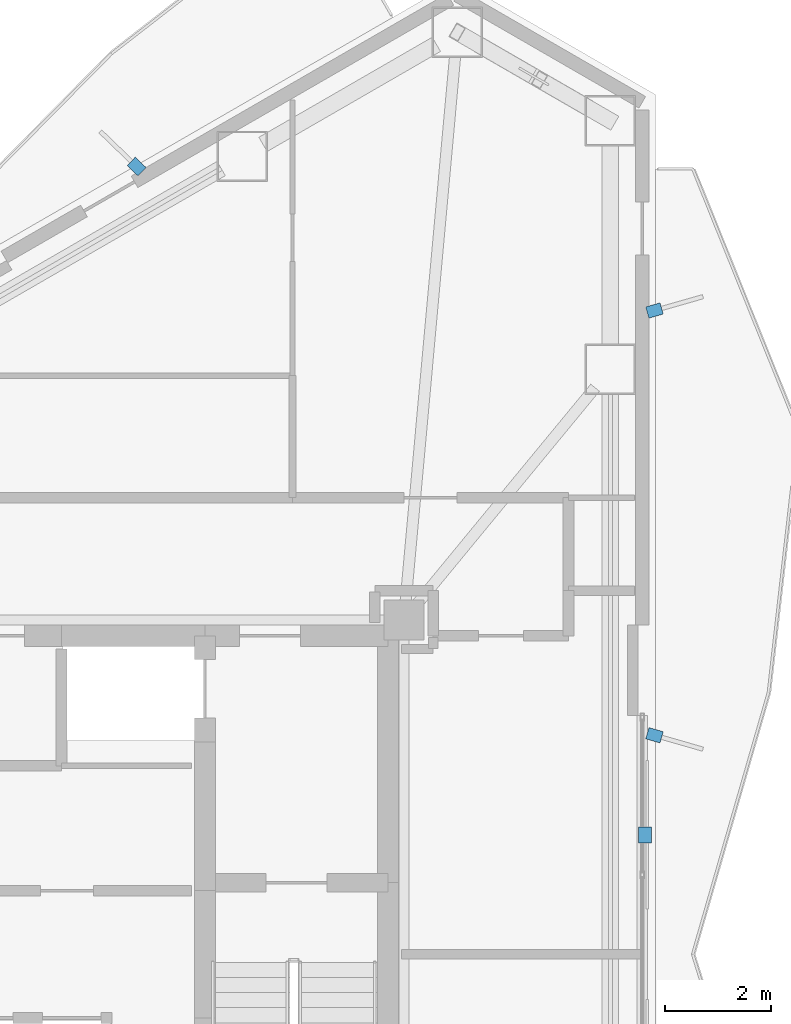
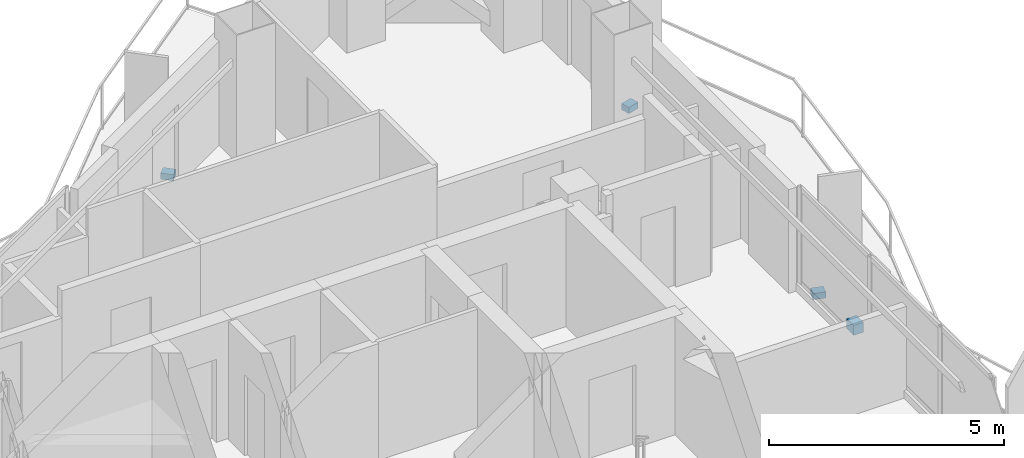
# One storey, part 20 of 22: 4 discrete accessories.
"""IFC4 building model written with IfcOpenShell, lengths in metres."""

import ifcopenshell
import ifcopenshell.guid

model = None  # the IFC model being written
_history = None  # IfcOwnerHistory: only IFC2X3 demands one
_inside = {}  # id of a spatial element -> (the spatial element, [elements in it])
_under = {}  # id of a project, library or spatial element -> (it, [spatial elements below it])
_declared = {}  # id of a project -> (the project, [libraries it declares])
_typed = {}  # id of a type object -> (the type object, [elements of that type])
_made_of = {}  # id of a material, layer set ... -> (it, [elements and type objects made of it])


def new_model(schema):
    """Start an empty IFC model of exactly this schema.

    Asked for "IFC4X3", IfcOpenShell would pick the latest addendum, in which some entities
    have other attributes; the version numbers below select the first issue.
    IFC2X3 requires an IfcOwnerHistory on every rooted entity: one is made here for all.
    """
    global model, _history
    if schema == "IFC4X3":
        model = ifcopenshell.file(schema_version=(4, 3, 0, 0))
    else:
        model = ifcopenshell.file(schema=schema)
    _inside.clear()
    _under.clear()
    _declared.clear()
    _typed.clear()
    _made_of.clear()
    _history = None
    if model.schema == "IFC2X3":
        org = make("IfcOrganization", Name="unknown")
        user = make(
            "IfcPersonAndOrganization",
            ThePerson=make("IfcPerson", FamilyName="unknown"),
            TheOrganization=org,
        )
        app = make(
            "IfcApplication",
            ApplicationDeveloper=org,
            Version="unknown",
            ApplicationFullName="unknown",
            ApplicationIdentifier="unknown",
        )
        _history = make(
            "IfcOwnerHistory",
            OwningUser=user,
            OwningApplication=app,
            ChangeAction="ADDED",
            CreationDate=0,
        )
    return model


def make(cls, **values):
    """One entity of the class cls with the attributes given. An attribute that is None is left unset."""
    return model.create_entity(
        cls, **{name: value for name, value in values.items() if value is not None}
    )


def rooted(cls, **values):
    """An entity with a GlobalId (a new one), such as an element, a storey or a relation."""
    return make(cls, GlobalId=ifcopenshell.guid.new(), OwnerHistory=_history, **values)


def si_unit(unit_type, name, prefix=None):
    """IfcSIUnit, for example si_unit("LENGTHUNIT", "METRE", prefix="MILLI")."""
    return make("IfcSIUnit", UnitType=unit_type, Prefix=prefix, Name=name)


def assignment(units):
    """IfcUnitAssignment: the units of a project."""
    return None if units is None else make("IfcUnitAssignment", Units=units)


def point(xyz):
    """IfcCartesianPoint."""
    return None if xyz is None else make("IfcCartesianPoint", Coordinates=xyz)


def direction(xyz):
    """IfcDirection."""
    return None if xyz is None else make("IfcDirection", DirectionRatios=xyz)


def frame(location, z_axis=None, x_axis=None):
    """IfcAxis2Placement3D, a coordinate frame: its origin and axes. An axis left out is left unset."""
    return make(
        "IfcAxis2Placement3D",
        Location=point(location),
        Axis=direction(z_axis),
        RefDirection=direction(x_axis),
    )


def frame_2d(location, x_axis=None):
    """IfcAxis2Placement2D, a coordinate frame in the plane: its origin and x axis."""
    return make(
        "IfcAxis2Placement2D", Location=point(location), RefDirection=direction(x_axis)
    )


def origin():
    """The frame at (0, 0, 0) with its axes left unset."""
    return frame((0.0, 0.0, 0.0))


def origin_2d():
    """The frame at (0, 0) in the plane with its x axis left unset."""
    return frame_2d((0.0, 0.0))


def place(relative_to, where):
    """IfcLocalPlacement: puts the frame where relative to a parent placement (None: the world)."""
    return make(
        "IfcLocalPlacement", PlacementRelTo=relative_to, RelativePlacement=where
    )


def context(
    kind, dimensions, precision=None, world=None, true_north=None, identifier=None
):
    """IfcGeometricRepresentationContext, for example the 3D "Model" context."""
    return make(
        "IfcGeometricRepresentationContext",
        ContextIdentifier=identifier,
        ContextType=kind,
        CoordinateSpaceDimension=dimensions,
        Precision=precision,
        WorldCoordinateSystem=world,
        TrueNorth=true_north,
    )


def subcontext(parent, identifier, kind, view, scale=None):
    """IfcGeometricRepresentationSubContext, for example "Body" below "Model"."""
    return make(
        "IfcGeometricRepresentationSubContext",
        ContextIdentifier=identifier,
        ContextType=kind,
        ParentContext=parent,
        TargetScale=scale,
        TargetView=view,
    )


def project(units=None, contexts=None):
    """IfcProject with its units and contexts."""
    return rooted(
        "IfcProject",
        Name="project",
        RepresentationContexts=contexts,
        UnitsInContext=assignment(units),
    )


def spatial(cls, under=None, at=None, **own):
    """A site, building, storey or space (cls), placed at a placement, below another one or the project."""
    s = rooted(cls, ObjectPlacement=at, **own)
    if under is not None:
        _under.setdefault(under.id(), (under, []))[1].append(s)
    return s


def profile(cls, at=None, kind="AREA", **sizes):
    """A parametric profile (cls). Its sizes go by their IFC names, for example OverallWidth=200.0."""
    return make(cls, ProfileType=kind, Position=at, **sizes)


def rectangle(**sizes):
    """IfcRectangleProfileDef."""
    return profile("IfcRectangleProfileDef", **sizes)


def extrude(swept, where, along, depth):
    """IfcExtrudedAreaSolid: the profile swept, set in the frame where, extruded along a direction by depth."""
    return make(
        "IfcExtrudedAreaSolid",
        SweptArea=swept,
        Position=where,
        ExtrudedDirection=direction(along),
        Depth=depth,
    )


def shape(context_of_items, identifier, shape_type, items):
    """IfcShapeRepresentation: the items that make up one representation, for example the "Body"."""
    return make(
        "IfcShapeRepresentation",
        ContextOfItems=context_of_items,
        RepresentationIdentifier=identifier,
        RepresentationType=shape_type,
        Items=items,
    )


def material(Name=None, Category=None):
    """IfcMaterial."""
    return make("IfcMaterial", Name=Name, Category=Category)


def layer(
    of_material, thickness, ventilated=None, Name=None, Category=None, Priority=None
):
    """IfcMaterialLayer: one layer of a wall or slab, of a material (None: an air gap)."""
    return make(
        "IfcMaterialLayer",
        Material=of_material,
        LayerThickness=thickness,
        IsVentilated=ventilated,
        Name=Name,
        Category=Category,
        Priority=Priority,
    )


def layer_set(layers, Name=None):
    """IfcMaterialLayerSet."""
    return make("IfcMaterialLayerSet", MaterialLayers=layers, LayerSetName=Name)


def made_of(thing, what):
    """Note that an element or type object is made of a material, layer set ...; save() writes the relation."""
    if what is not None:
        _made_of.setdefault(what.id(), (what, []))[1].append(thing)
    return thing


def type_object(cls, material=None, **own):
    """A type object (cls), such as IfcWallType, which elements share."""
    return made_of(rooted(cls, **own), material)


def element(
    cls,
    number,
    at=None,
    inside=None,
    cuts=None,
    type_object=None,
    material=None,
    context=None,
    identifier="Body",
    shape_type=None,
    held_by="IfcProductDefinitionShape",
    body=None,
    shapes=None,
    **own,
):
    """One element of the class cls, such as IfcWall. Its Tag is "e" and its number.

    at: its placement. inside: the storey or other place that contains it. cuts: it is an
    opening in that element (IfcRelVoidsElement). A single representation is given by context,
    identifier, shape_type and body (its items); several are given by shapes. held_by: the class
    of the entity that holds the representations. save() writes the other relations.
    """
    e = rooted(cls, Tag="e%d" % number, ObjectPlacement=at, **own)
    if body is not None:
        shapes = [shape(context, identifier, shape_type, body)]
    if shapes is not None:
        e.Representation = make(held_by, Representations=shapes)
    if inside is not None:
        _inside.setdefault(inside.id(), (inside, []))[1].append(e)
    if cuts is not None:
        rooted(
            "IfcRelVoidsElement", RelatingBuildingElement=cuts, RelatedOpeningElement=e
        )
    if type_object is not None:
        _typed.setdefault(type_object.id(), (type_object, []))[1].append(e)
    return made_of(e, material)


def aggregate(whole, parts):
    """IfcRelAggregates: a whole, such as a stair, and the parts it consists of."""
    return rooted("IfcRelAggregates", RelatingObject=whole, RelatedObjects=parts)


def save(model, path):
    """Write the relations noted so far, then the file.

    IfcRelAggregates (storeys below a building ...), IfcRelContainedInSpatialStructure (elements
    in a storey), IfcRelDefinesByType, IfcRelAssociatesMaterial and IfcRelDeclares: one each for
    every whole, place, type object, material and project.
    """
    for whole, parts in _under.values():
        aggregate(whole, parts)
    for where, things in _inside.values():
        rooted(
            "IfcRelContainedInSpatialStructure",
            RelatedElements=things,
            RelatingStructure=where,
        )
    for kind, things in _typed.values():
        rooted("IfcRelDefinesByType", RelatedObjects=things, RelatingType=kind)
    for what, things in _made_of.values():
        rooted("IfcRelAssociatesMaterial", RelatedObjects=things, RelatingMaterial=what)
    for by, libraries in _declared.values():
        rooted("IfcRelDeclares", RelatingContext=by, RelatedDefinitions=libraries)
    model.write(path)


model = new_model("IFC4")

# Units and contexts
model_context = context("Model", 3, precision=1e-05, world=origin(), true_north=direction((0.0, 1.0)))
body_context = subcontext(model_context, "Body", "Model", "MODEL_VIEW")
ifc_project = project(units=[si_unit("LENGTHUNIT", "METRE"), si_unit("AREAUNIT", "SQUARE_METRE"), si_unit("VOLUMEUNIT", "CUBIC_METRE"), si_unit("PLANEANGLEUNIT", "RADIAN"), si_unit("MASSUNIT", "GRAM", prefix="KILO")], contexts=[model_context])

# Site, building, storey
site_placement = place(None, origin())
site = spatial("IfcSite", under=ifc_project, at=site_placement, CompositionType="ELEMENT")
building_placement = place(site_placement, origin())
building = spatial("IfcBuilding", under=site, at=building_placement, Name="Mersakhor Tower and Convention Hall", CompositionType="ELEMENT")
storey_placement = place(building_placement, frame((0.0, 0.0, 188.699951171875)))
storey = spatial("IfcBuildingStorey", under=building, at=storey_placement, Name="L52", CompositionType="ELEMENT", Elevation=188.699951171875)

# Discrete accessories
ifc_material = material(Name="Galvanised steel bracket", Category="steel")
ifc_layer = layer(ifc_material, 0.02001953125)
ifc_layer_set = layer_set([ifc_layer], Name="Galvanised steel bracket")
discrete_accessory_type = type_object("IfcDiscreteAccessoryType", Name="ACC-BRK-STL", PredefinedType="BRACKET", material=ifc_layer_set)
discrete_accessory_1_placement = place(storey_placement, frame((31.064453125, 41.588623046875, -0.02001953125), z_axis=(0.0, 0.0, 1.0), x_axis=(-0.719339800339, 0.694658370459, 0.0)))
element("IfcDiscreteAccessory", 1, at=discrete_accessory_1_placement, inside=storey, type_object=discrete_accessory_type, Name="L52 Facade Fin Base Cleat Bracket FBRK-1-3", PredefinedType="BRACKET", context=body_context, shape_type="SweptSolid", body=[
    extrude(rectangle(XDim=0.280029296875, YDim=0.219970703125, at=origin_2d()), origin(), (0.0, 0.0, 1.0), 0.159912109375),
])
discrete_accessory_2_placement = place(storey_placement, frame((40.638427734375, 28.999755859375, 0.2900390625), z_axis=(0.0, 0.0, 1.0), x_axis=(0.0, -1.0, 0.0)))
element("IfcDiscreteAccessory", 2, at=discrete_accessory_2_placement, inside=storey, type_object=discrete_accessory_type, Name="L52 Solar Screen Outrigger Bracket BRK-2-1", PredefinedType="BRACKET", context=body_context, shape_type="SweptSolid", body=[
    extrude(rectangle(XDim=0.300048828125, YDim=0.239990234375, at=origin_2d()), origin(), (0.0, 0.0, 1.0), 0.260009765625),
])
for number, where, z_axis, x_axis, name in (
    (3, (40.818359375, 38.8759765625, -0.02001953125), (0.0, 0.0, 1.0), (0.961261695938, 0.275637355817, 0.0), "L52 Facade Fin Base Cleat Bracket FBRK-2-1"),
    (4, (40.818359375, 30.8759765625, -0.02001953125), (0.0, 0.0, 1.0), (0.961261695938, -0.275637355817, 0.0), "L52 Facade Fin Base Cleat Bracket FBRK-2-2"),
):
    element("IfcDiscreteAccessory", number, at=place(storey_placement, frame(where, z_axis=z_axis, x_axis=x_axis)), inside=storey, type_object=discrete_accessory_type, Name=name, PredefinedType="BRACKET", context=body_context, shape_type="SweptSolid", body=[
        extrude(rectangle(XDim=0.280029296875, YDim=0.219970703125, at=origin_2d()), origin(), (0.0, 0.0, 1.0), 0.159912109375),
    ])

save(model, "model.ifc")
